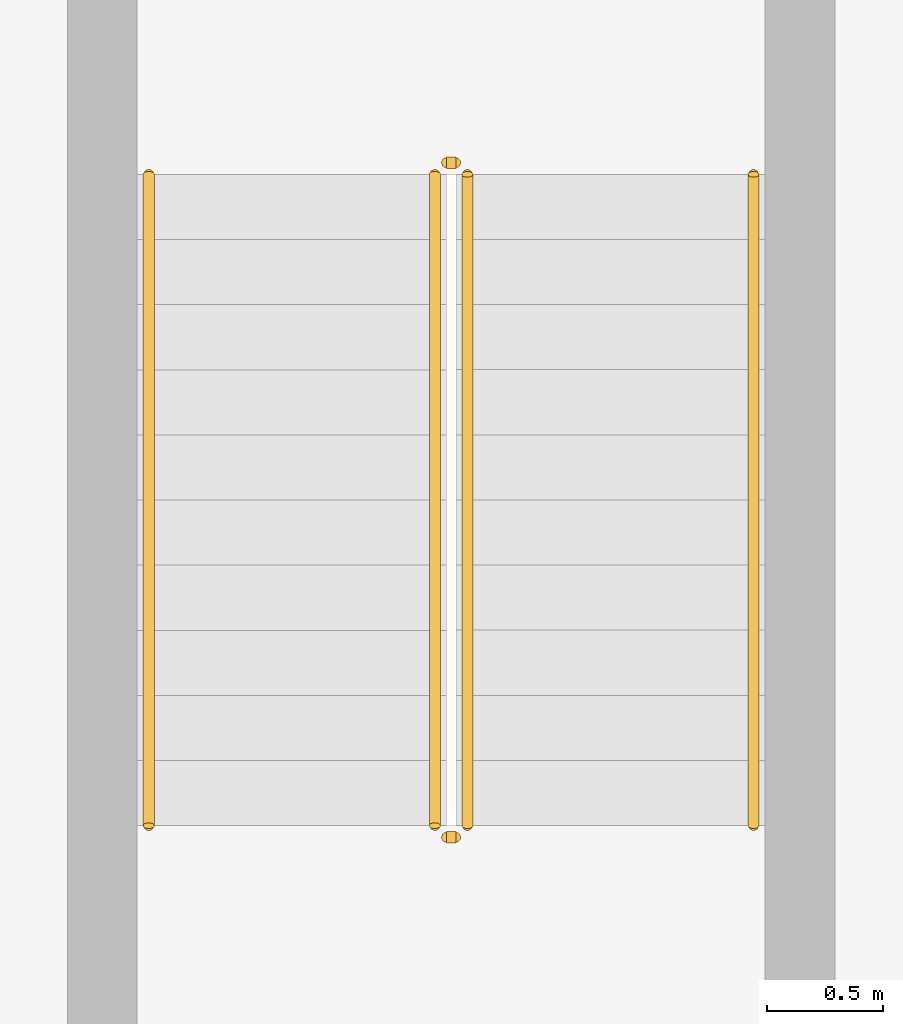
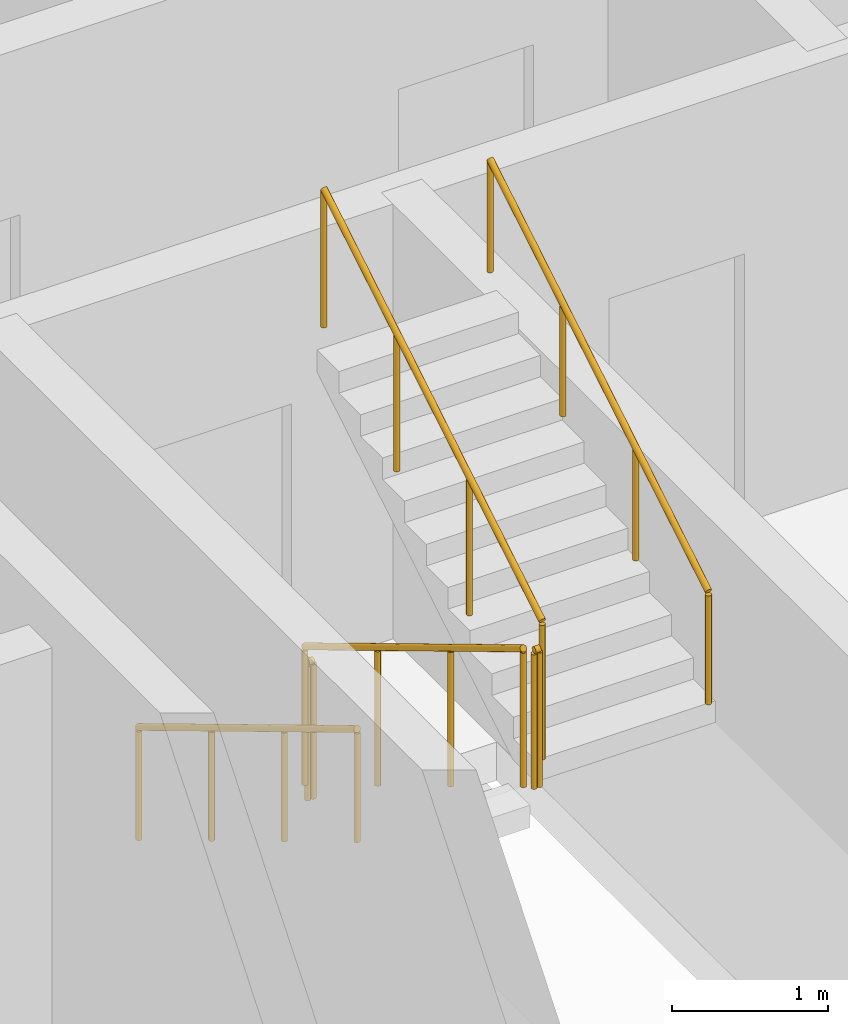
# One storey, part 31 of 34: 6 railings.
"""IFC4 building model written with IfcOpenShell, lengths in metres."""

from ifc_helpers import new_model, si_unit, direction, frame, origin, origin_2d, place, context, subcontext, project, spatial, circle, extrude, material, type_object, element, save


model = new_model("IFC4")

# Units and contexts
model_context = context("Model", 3, precision=1e-05, world=origin(), true_north=direction((0.0, 1.0)))
body_context = subcontext(model_context, "Body", "Model", "MODEL_VIEW")
ifc_project = project(units=[si_unit("LENGTHUNIT", "METRE"), si_unit("AREAUNIT", "SQUARE_METRE"), si_unit("VOLUMEUNIT", "CUBIC_METRE"), si_unit("PLANEANGLEUNIT", "RADIAN"), si_unit("MASSUNIT", "GRAM", prefix="KILO")], contexts=[model_context])

# Site, building, storey
site_placement = place(None, origin())
site = spatial("IfcSite", under=ifc_project, at=site_placement, CompositionType="ELEMENT")
building_placement = place(site_placement, origin())
building = spatial("IfcBuilding", under=site, at=building_placement, Name="Ogive Portal Towers", CompositionType="ELEMENT")
storey_placement = place(building_placement, frame((0.0, 0.0, 66.800048828125)))
storey = spatial("IfcBuildingStorey", under=building, at=storey_placement, Name="L15", CompositionType="ELEMENT", Elevation=66.800048828125)

# Railings
ifc_material_1 = material(Name="Stainless steel balustrade", Category="steel")
railing_type_1 = type_object("IfcRailingType", Name="INT-GUARD", PredefinedType="GUARDRAIL", material=ifc_material_1)
railing_1_placement = place(storey_placement, frame((88.280029296875, 29.169921875, 0.168212890625)))
element("IfcRailing", 1, at=railing_1_placement, inside=storey, type_object=railing_type_1, Name="L15 ST-A4 stair guard 1", PredefinedType="GUARDRAIL", context=body_context, shape_type="SweptSolid", body=[
    extrude(circle(Radius=0.02392578125, at=origin_2d()), frame((0.0, 0.0, 1.076171875), z_axis=(0.0, -0.857255387014, 0.514891446264), x_axis=(1.0, 0.0, 0.0)), (0.0, 0.0, 1.0), 3.26611328125),
    extrude(circle(Radius=0.02099609375, at=origin_2d()), origin(), (0.0, 0.0, 1.0), 1.052001953125),
    extrude(circle(Radius=0.02099609375, at=origin_2d()), frame((0.0, -0.933349609375, 0.560546875)), (0.0, 0.0, 1.0), 1.052001953125),
    extrude(circle(Radius=0.02099609375, at=origin_2d()), frame((0.0, -1.866455078125, 1.12109375)), (0.0, 0.0, 1.0), 1.052001953125),
    extrude(circle(Radius=0.02099609375, at=origin_2d()), frame((0.0, -2.7998046875, 1.681640625)), (0.0, 0.0, 1.0), 1.052001953125),
])
railing_2_placement = place(storey_placement, frame((88.330078125, 26.320068359375, 1.849853515625)))
element("IfcRailing", 2, at=railing_2_placement, inside=storey, type_object=railing_type_1, Name="L15 ST-A4 stair guard 2", PredefinedType="GUARDRAIL", context=body_context, shape_type="SweptSolid", body=[
    extrude(circle(Radius=0.02392578125, at=origin_2d()), frame((0.0, 0.0, 1.076171875), z_axis=(1.0, 0.0, 0.0), x_axis=(0.0, 1.0, 0.0)), (0.0, 0.0, 1.0), 0.0400390625),
    extrude(circle(Radius=0.02099609375, at=origin_2d()), origin(), (0.0, 0.0, 1.0), 1.052001953125),
    extrude(circle(Radius=0.02099609375, at=origin_2d()), frame((0.0400390625, 0.0, 0.0)), (0.0, 0.0, 1.0), 1.052001953125),
])
railing_3_placement = place(storey_placement, frame((88.419921875, 26.3701171875, 2.01806640625)))
element("IfcRailing", 3, at=railing_3_placement, inside=storey, type_object=railing_type_1, Name="L15 ST-A4 stair guard 3", PredefinedType="GUARDRAIL", context=body_context, shape_type="SweptSolid", body=[
    extrude(circle(Radius=0.02392578125, at=origin_2d()), frame((0.0, 0.0, 1.076171875), z_axis=(0.0, 0.857222391501, 0.514946377315), x_axis=(-1.0, 0.0, 0.0)), (0.0, 0.0, 1.0), 3.26611328125),
    extrude(circle(Radius=0.02099609375, at=origin_2d()), origin(), (0.0, 0.0, 1.0), 1.052001953125),
    extrude(circle(Radius=0.02099609375, at=origin_2d()), frame((0.0, 0.933349609375, 0.560546875)), (0.0, 0.0, 1.0), 1.052001953125),
    extrude(circle(Radius=0.02099609375, at=origin_2d()), frame((0.0, 1.866455078125, 1.121337890625)), (0.0, 0.0, 1.0), 1.052001953125),
    extrude(circle(Radius=0.02099609375, at=origin_2d()), frame((0.0, 2.7998046875, 1.681884765625)), (0.0, 0.0, 1.0), 1.052001953125),
])
railing_4_placement = place(storey_placement, frame((88.330078125, 29.219970703125, 0.0)))
element("IfcRailing", 4, at=railing_4_placement, inside=storey, type_object=railing_type_1, Name="L15 ST-A4 stair guard 4", PredefinedType="GUARDRAIL", context=body_context, shape_type="SweptSolid", body=[
    extrude(circle(Radius=0.02392578125, at=origin_2d()), frame((0.0, 0.0, 1.076171875), z_axis=(1.0, 0.0, 0.0), x_axis=(0.0, 1.0, 0.0)), (0.0, 0.0, 1.0), 0.0400390625),
    extrude(circle(Radius=0.02099609375, at=origin_2d()), origin(), (0.0, 0.0, 1.0), 1.052001953125),
    extrude(circle(Radius=0.02099609375, at=origin_2d()), frame((0.0400390625, 0.0, 0.0)), (0.0, 0.0, 1.0), 1.052001953125),
])
ifc_material_2 = material(Name="Stainless steel handrail", Category="steel")
railing_type_2 = type_object("IfcRailingType", Name="INT-HANDRAIL", PredefinedType="HANDRAIL", material=ifc_material_2)
railing_5_placement = place(storey_placement, frame((87.050048828125, 29.169921875, 0.168212890625)))
element("IfcRailing", 5, at=railing_5_placement, inside=storey, type_object=railing_type_2, Name="L15 ST-A4 stair handrail 1", PredefinedType="HANDRAIL", context=body_context, shape_type="SweptSolid", body=[
    extrude(circle(Radius=0.02392578125, at=origin_2d()), frame((0.0, 0.0, 0.8759765625), z_axis=(0.0, -0.857255387014, 0.514891446264), x_axis=(1.0, 0.0, 0.0)), (0.0, 0.0, 1.0), 3.26611328125),
    extrude(circle(Radius=0.02099609375, at=origin_2d()), origin(), (0.0, 0.0, 1.0), 0.851806640625),
    extrude(circle(Radius=0.02099609375, at=origin_2d()), frame((0.0, -0.933349609375, 0.560546875)), (0.0, 0.0, 1.0), 0.851806640625),
    extrude(circle(Radius=0.02099609375, at=origin_2d()), frame((0.0, -1.866455078125, 1.12109375)), (0.0, 0.0, 1.0), 0.851806640625),
    extrude(circle(Radius=0.02099609375, at=origin_2d()), frame((0.0, -2.7998046875, 1.681640625)), (0.0, 0.0, 1.0), 0.851806640625),
])
railing_6_placement = place(storey_placement, frame((89.64990234375, 26.3701171875, 2.01806640625)))
element("IfcRailing", 6, at=railing_6_placement, inside=storey, type_object=railing_type_2, Name="L15 ST-A4 stair handrail 2", PredefinedType="HANDRAIL", context=body_context, shape_type="SweptSolid", body=[
    extrude(circle(Radius=0.02392578125, at=origin_2d()), frame((0.0, 0.0, 0.8759765625), z_axis=(0.0, 0.857222391501, 0.514946377315), x_axis=(-1.0, 0.0, 0.0)), (0.0, 0.0, 1.0), 3.26611328125),
    extrude(circle(Radius=0.02099609375, at=origin_2d()), origin(), (0.0, 0.0, 1.0), 0.851806640625),
    extrude(circle(Radius=0.02099609375, at=origin_2d()), frame((0.0, 0.933349609375, 0.560546875)), (0.0, 0.0, 1.0), 0.851806640625),
    extrude(circle(Radius=0.02099609375, at=origin_2d()), frame((0.0, 1.866455078125, 1.121337890625)), (0.0, 0.0, 1.0), 0.851806640625),
    extrude(circle(Radius=0.02099609375, at=origin_2d()), frame((0.0, 2.7998046875, 1.681884765625)), (0.0, 0.0, 1.0), 0.851806640625),
])

save(model, "model.ifc")
